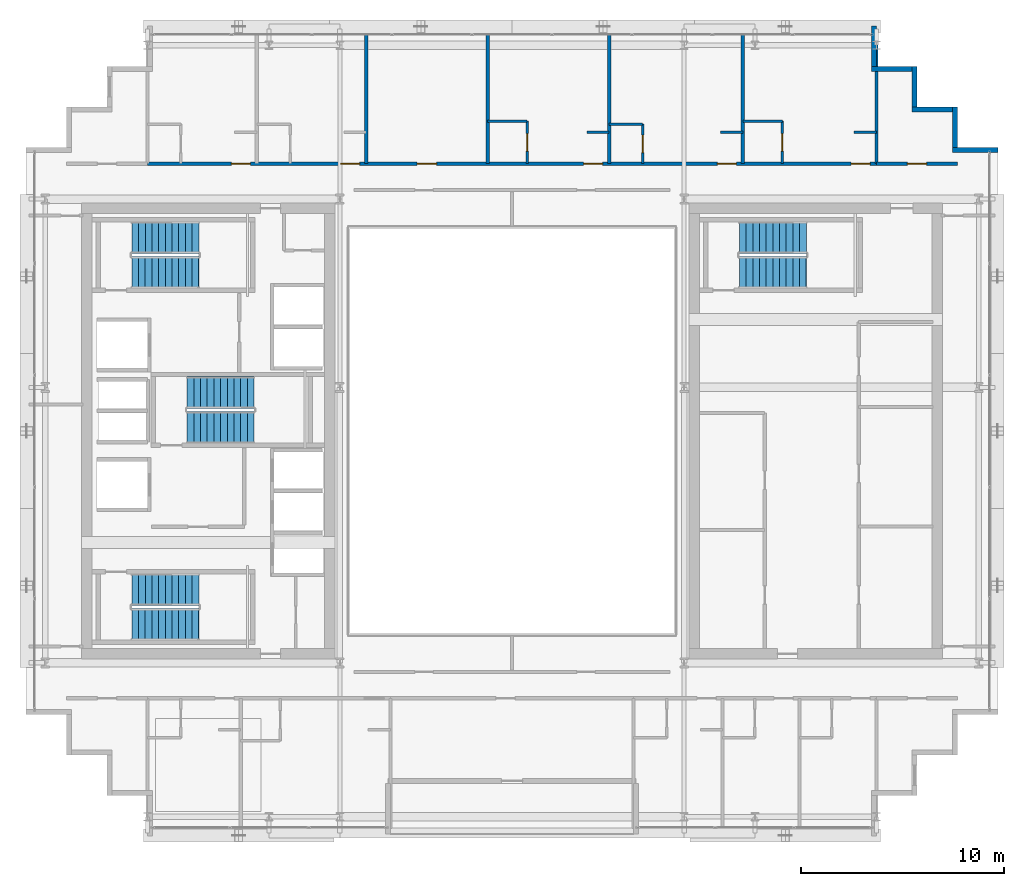
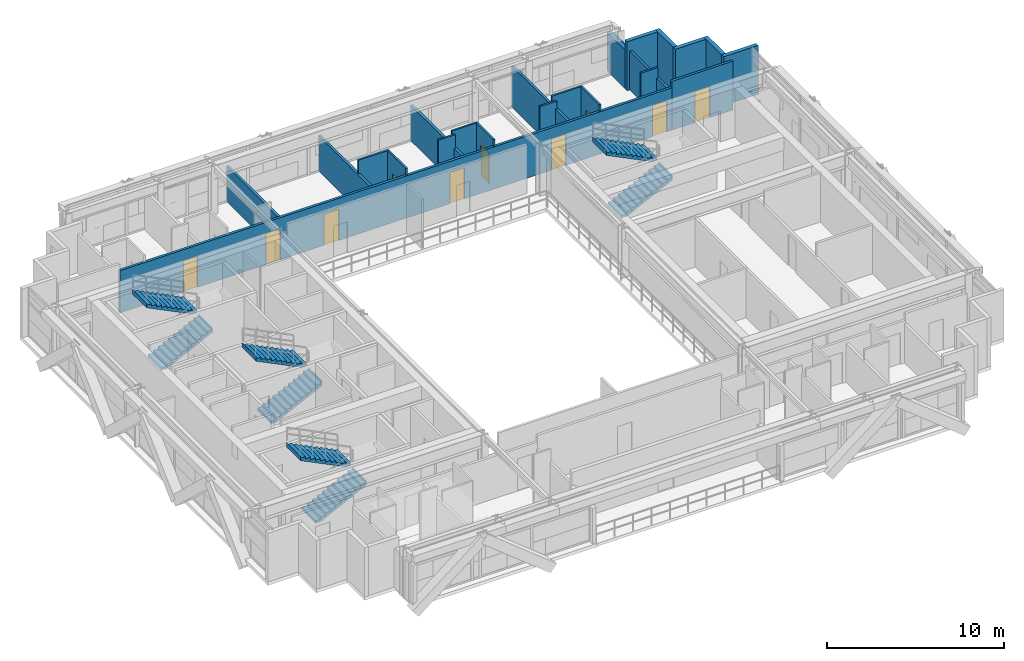
# One storey, part 27 of 31: 22 walls, 10 doors, 8 stair flights, 10 openings, 4 elements without a shape of their own.
"""IFC4 building model written with IfcOpenShell, lengths in metres."""

from ifc_helpers import new_model, si_unit, direction, frame, frame_2d, origin, place, context, subcontext, project, spatial, polyline, rectangle, outline, extrude, source, transform, mapped, material, layer, layer_set, type_object, element, fill, aggregate, save


model = new_model("IFC4")

# Units and contexts
model_context = context("Model", 3, precision=1e-05, world=origin(), true_north=direction((0.0, 1.0)))
body_context = subcontext(model_context, "Body", "Model", "MODEL_VIEW")
ifc_project = project(units=[si_unit("LENGTHUNIT", "METRE"), si_unit("AREAUNIT", "SQUARE_METRE"), si_unit("VOLUMEUNIT", "CUBIC_METRE"), si_unit("PLANEANGLEUNIT", "RADIAN"), si_unit("MASSUNIT", "GRAM", prefix="KILO")], contexts=[model_context])

# Site, building, storey
site_placement = place(None, origin())
site = spatial("IfcSite", under=ifc_project, at=site_placement, CompositionType="ELEMENT")
building_placement = place(site_placement, origin())
building = spatial("IfcBuilding", under=site, at=building_placement, Name="Ocotamira Hotel", CompositionType="ELEMENT")
storey_placement = place(building_placement, frame((0.0, 0.0, 210.0)))
storey = spatial("IfcBuildingStorey", under=building, at=storey_placement, Name="L53", CompositionType="ELEMENT", Elevation=210.0)

# Walls
ifc_material_1 = material(Name="Precast concrete C45/55", Category="concrete")
ifc_layer_1 = layer(ifc_material_1, 0.25)
ifc_layer_set_1 = layer_set([ifc_layer_1], Name="Precast concrete C45/55")
wall_type_1 = type_object("IfcWallType", Name="WL-EXT-SER-250", PredefinedType="SOLIDWALL", material=ifc_layer_set_1)
wall_1_placement = place(storey_placement, frame((56.0, 39.875, 0.0), z_axis=(0.0, 0.0, 1.0), x_axis=(-1.0, 0.0, 0.0)))
element("IfcWall", 1, at=wall_1_placement, inside=storey, type_object=wall_type_1, Name="L53 Serrated Corner Wall 07", PredefinedType="SOLIDWALL", context=body_context, shape_type="SweptSolid", body=[
    extrude(rectangle(XDim=2.25, YDim=0.25, at=frame_2d((1.125, 0.0))), origin(), (0.0, 0.0, 1.0), 3.3701171875),
])
for number, where, z_axis, x_axis, name in (
    (2, (53.875, 40.0, 0.0), (0.0, 0.0, 1.0), (0.0, 1.0, 0.0), "L53 Serrated Corner Wall 08"),
    (3, (53.75, 41.875, 0.0), (0.0, 0.0, 1.0), (-1.0, 0.0, 0.0), "L53 Serrated Corner Wall 09"),
    (4, (51.875, 42.0, 0.0), (0.0, 0.0, 1.0), (0.0, 1.0, 0.0), "L53 Serrated Corner Wall 10"),
    (5, (51.75, 43.875, 0.0), (0.0, 0.0, 1.0), (-1.0, 0.0, 0.0), "L53 Serrated Corner Wall 11"),
):
    element("IfcWall", number, at=place(storey_placement, frame(where, z_axis=z_axis, x_axis=x_axis)), inside=storey, type_object=wall_type_1, Name=name, PredefinedType="SOLIDWALL", context=body_context, shape_type="SweptSolid", body=[
        extrude(rectangle(XDim=2.0, YDim=0.25, at=frame_2d((1.0, 0.0))), origin(), (0.0, 0.0, 1.0), 3.3701171875),
    ])
wall_2_placement = place(storey_placement, frame((49.875, 44.0, 0.0), z_axis=(0.0, 0.0, 1.0), x_axis=(0.0, 1.0, 0.0)))
element("IfcWall", 6, at=wall_2_placement, inside=storey, type_object=wall_type_1, Name="L53 Serrated Corner Wall 12", PredefinedType="SOLIDWALL", context=body_context, shape_type="SweptSolid", body=[
    extrude(rectangle(XDim=2.0, YDim=0.25, at=frame_2d((1.0, 0.0))), origin(), (0.0, 0.0, 1.0), 2.677001953125),
])

# Wall, opening, door
ifc_material_2 = material(Name="Acoustic double-layer fire gypsum board partition", Category="gypsum")
ifc_layer_2 = layer(ifc_material_2, 0.159912109375)
ifc_layer_set_2 = layer_set([ifc_layer_2], Name="Acoustic double-layer fire gypsum board partition")
wall_type_2 = type_object("IfcWallType", Name="WL-FIRE-160", PredefinedType="PARTITIONING", material=ifc_layer_set_2)
wall_3_placement = place(storey_placement, frame((50.0, 39.199951171875, 0.0), z_axis=(0.0, 0.0, 1.0), x_axis=(1.0, 0.0, 0.0)))
wall_3 = element("IfcWall", 7, at=wall_3_placement, inside=storey, type_object=wall_type_2, Name="L53 Interior Wall PW-L53-Z3E-CNE-CW", PredefinedType="PARTITIONING", context=body_context, shape_type="SweptSolid", body=[
    extrude(rectangle(XDim=4.0, YDim=0.159912109375, at=frame_2d((2.0, 0.0))), origin(), (0.0, 0.0, 1.0), 3.3701171875),
])
opening_1_placement = place(wall_3_placement, frame((1.52001953125, 0.0, 0.0)))
opening_1 = element("IfcOpeningElement", 8, at=opening_1_placement, cuts=wall_3, Name="Opening D-SV4", PredefinedType="OPENING", context=body_context, shape_type="SweptSolid", body=[
    extrude(rectangle(XDim=0.9599609375, YDim=2.14990234375, at=frame_2d((0.47998046875, 1.074951171875))), frame((0.0, 0.08984375, 0.0), z_axis=(0.0, -1.0, 0.0), x_axis=(1.0, 0.0, 0.0)), (0.0, 0.0, 1.0), 0.179931640625),
])
ifc_material_3 = material(Name="Fire-rated accessible walnut salon door", Category="wood")
door_type_1 = type_object("IfcDoorType", Name="DR-SERV-960", OperationType="NOTDEFINED", PredefinedType="DOOR", material=ifc_material_3)
shared_shape_1 = source(origin(), body_context, "Body", "SweptSolid", [
    extrude(rectangle(XDim=0.9599609375, YDim=2.14990234375, at=frame_2d((0.47998046875, 1.074951171875))), frame((0.0, 0.02490234375, 0.0), z_axis=(0.0, -1.0, 0.0), x_axis=(1.0, 0.0, 0.0)), (0.0, 0.0, 1.0), 0.050048828125),
])
door_1_placement = place(opening_1_placement, origin())
door_1 = element("IfcDoor", 9, at=door_1_placement, inside=storey, type_object=door_type_1, Name="L53 Door ID-L53-Z3E-CNE-CD [ID-L53-Z3E-CNE-CD]", OperationType="SINGLE_SWING_LEFT", OverallHeight=2.14990234375, OverallWidth=0.9599609375, PredefinedType="DOOR", context=body_context, shape_type="MappedRepresentation", body=[
    mapped(shared_shape_1, transform((0.0, 0.0, 0.0), scale=1.0)),
])
fill(opening_1, door_1)

# Wall, openings, doors
wall_4_placement = place(storey_placement, frame((14.0, 39.199951171875, 0.0), z_axis=(0.0, 0.0, 1.0), x_axis=(1.0, 0.0, 0.0)))
wall_4 = element("IfcWall", 10, at=wall_4_placement, inside=storey, type_object=wall_type_2, Name="L53 Interior Wall PW-L53-Z3EN-CORRW", PredefinedType="PARTITIONING", context=body_context, shape_type="SweptSolid", body=[
    extrude(rectangle(XDim=36.0, YDim=0.159912109375, at=frame_2d((18.0, 0.0))), origin(), (0.0, 0.0, 1.0), 2.9130859375),
])
opening_2_placement = place(wall_4_placement, frame((4.139892578125, 0.0, 0.0)))
opening_2 = element("IfcOpeningElement", 11, at=opening_2_placement, cuts=wall_4, Name="Opening D-GR1", PredefinedType="OPENING", context=body_context, shape_type="SweptSolid", body=[
    extrude(rectangle(XDim=0.93994140625, YDim=2.14990234375, at=frame_2d((0.469970703125, 1.074951171875))), frame((0.0, 0.08984375, 0.0), z_axis=(0.0, -1.0, 0.0), x_axis=(1.0, 0.0, 0.0)), (0.0, 0.0, 1.0), 0.179931640625),
])
opening_3_placement = place(wall_4_placement, frame((9.5400390625, 0.0, 0.0)))
opening_3 = element("IfcOpeningElement", 12, at=opening_3_placement, cuts=wall_4, Name="Opening D-GR1", PredefinedType="OPENING", context=body_context, shape_type="SweptSolid", body=[
    extrude(rectangle(XDim=0.93994140625, YDim=2.14990234375, at=frame_2d((0.469970703125, 1.074951171875))), frame((0.0, 0.08984375, 0.0), z_axis=(0.0, -1.0, 0.0), x_axis=(1.0, 0.0, 0.0)), (0.0, 0.0, 1.0), 0.179931640625),
])
opening_4_placement = place(wall_4_placement, frame((13.320068359375, 0.0, 0.0)))
opening_4 = element("IfcOpeningElement", 13, at=opening_4_placement, cuts=wall_4, Name="Opening D-SV4", PredefinedType="OPENING", context=body_context, shape_type="SweptSolid", body=[
    extrude(rectangle(XDim=0.9599609375, YDim=2.14990234375, at=frame_2d((0.47998046875, 1.074951171875))), frame((0.0, 0.08984375, 0.0), z_axis=(0.0, -1.0, 0.0), x_axis=(1.0, 0.0, 0.0)), (0.0, 0.0, 1.0), 0.179931640625),
])
opening_5_placement = place(wall_4_placement, frame((21.5400390625, 0.0, 0.0)))
opening_5 = element("IfcOpeningElement", 14, at=opening_5_placement, cuts=wall_4, Name="Opening D-GR1", PredefinedType="OPENING", context=body_context, shape_type="SweptSolid", body=[
    extrude(rectangle(XDim=0.93994140625, YDim=2.14990234375, at=frame_2d((0.469970703125, 1.074951171875))), frame((0.0, 0.08984375, 0.0), z_axis=(0.0, -1.0, 0.0), x_axis=(1.0, 0.0, 0.0)), (0.0, 0.0, 1.0), 0.179931640625),
])
opening_6_placement = place(wall_4_placement, frame((28.139892578125, 0.0, 0.0)))
opening_6 = element("IfcOpeningElement", 15, at=opening_6_placement, cuts=wall_4, Name="Opening D-GR1", PredefinedType="OPENING", context=body_context, shape_type="SweptSolid", body=[
    extrude(rectangle(XDim=0.93994140625, YDim=2.14990234375, at=frame_2d((0.469970703125, 1.074951171875))), frame((0.0, 0.08984375, 0.0), z_axis=(0.0, -1.0, 0.0), x_axis=(1.0, 0.0, 0.0)), (0.0, 0.0, 1.0), 0.179931640625),
])
opening_7_placement = place(wall_4_placement, frame((34.739990234375, 0.0, 0.0)))
opening_7 = element("IfcOpeningElement", 16, at=opening_7_placement, cuts=wall_4, Name="Opening D-GR1", PredefinedType="OPENING", context=body_context, shape_type="SweptSolid", body=[
    extrude(rectangle(XDim=0.93994140625, YDim=2.14990234375, at=frame_2d((0.469970703125, 1.074951171875))), frame((0.0, 0.08984375, 0.0), z_axis=(0.0, -1.0, 0.0), x_axis=(1.0, 0.0, 0.0)), (0.0, 0.0, 1.0), 0.179931640625),
])
door_2_placement = place(opening_4_placement, origin())
door_2 = element("IfcDoor", 17, at=door_2_placement, inside=storey, type_object=door_type_1, Name="L53 Door ID-L53-Z3EN-AMD3 [ID-L53-Z3EN-AMD3]", OperationType="SINGLE_SWING_LEFT", OverallHeight=2.14990234375, OverallWidth=0.9599609375, PredefinedType="DOOR", context=body_context, shape_type="MappedRepresentation", body=[
    mapped(shared_shape_1, transform((0.0, 0.0, 0.0), scale=1.0)),
])
fill(opening_4, door_2)
ifc_material_4 = material(Name="Solid-core walnut suite entrance fire door", Category="wood")
door_type_2 = type_object("IfcDoorType", Name="DR-GUEST-940", OperationType="NOTDEFINED", PredefinedType="DOOR", material=ifc_material_4)
shared_shape_2 = source(origin(), body_context, "Body", "SweptSolid", [
    extrude(rectangle(XDim=0.93994140625, YDim=2.14990234375, at=frame_2d((0.469970703125, 1.074951171875))), frame((0.0, 0.02490234375, 0.0), z_axis=(0.0, -1.0, 0.0), x_axis=(1.0, 0.0, 0.0)), (0.0, 0.0, 1.0), 0.050048828125),
])
door_3_placement = place(opening_2_placement, origin())
door_3 = element("IfcDoor", 18, at=door_3_placement, inside=storey, type_object=door_type_2, Name="L53 Door ID-L53-Z3EN-RMD1 [ID-L53-Z3EN-RMD1]", OperationType="SINGLE_SWING_LEFT", OverallHeight=2.14990234375, OverallWidth=0.93994140625, PredefinedType="DOOR", context=body_context, shape_type="MappedRepresentation", body=[
    mapped(shared_shape_2, transform((0.0, 0.0, 0.0), scale=1.0)),
])
fill(opening_2, door_3)
door_4_placement = place(opening_3_placement, origin())
door_4 = element("IfcDoor", 19, at=door_4_placement, inside=storey, type_object=door_type_2, Name="L53 Door ID-L53-Z3EN-RMD2 [ID-L53-Z3EN-RMD2]", OperationType="SINGLE_SWING_RIGHT", OverallHeight=2.14990234375, OverallWidth=0.93994140625, PredefinedType="DOOR", context=body_context, shape_type="MappedRepresentation", body=[
    mapped(shared_shape_2, transform((0.0, 0.0, 0.0), scale=1.0)),
])
fill(opening_3, door_4)
door_5_placement = place(opening_5_placement, origin())
door_5 = element("IfcDoor", 20, at=door_5_placement, inside=storey, type_object=door_type_2, Name="L53 Door ID-L53-Z3EN-RMD4 [ID-L53-Z3EN-RMD4]", OperationType="SINGLE_SWING_RIGHT", OverallHeight=2.14990234375, OverallWidth=0.93994140625, PredefinedType="DOOR", context=body_context, shape_type="MappedRepresentation", body=[
    mapped(shared_shape_2, transform((0.0, 0.0, 0.0), scale=1.0)),
])
fill(opening_5, door_5)
door_6_placement = place(opening_6_placement, origin())
door_6 = element("IfcDoor", 21, at=door_6_placement, inside=storey, type_object=door_type_2, Name="L53 Door ID-L53-Z3EN-RMD5 [ID-L53-Z3EN-RMD5]", OperationType="SINGLE_SWING_LEFT", OverallHeight=2.14990234375, OverallWidth=0.93994140625, PredefinedType="DOOR", context=body_context, shape_type="MappedRepresentation", body=[
    mapped(shared_shape_2, transform((0.0, 0.0, 0.0), scale=1.0)),
])
fill(opening_6, door_6)
door_7_placement = place(opening_7_placement, origin())
door_7 = element("IfcDoor", 22, at=door_7_placement, inside=storey, type_object=door_type_2, Name="L53 Door ID-L53-Z3EN-RMD6 [ID-L53-Z3EN-RMD6]", OperationType="SINGLE_SWING_RIGHT", OverallHeight=2.14990234375, OverallWidth=0.93994140625, PredefinedType="DOOR", context=body_context, shape_type="MappedRepresentation", body=[
    mapped(shared_shape_2, transform((0.0, 0.0, 0.0), scale=1.0)),
])
fill(opening_7, door_7)

# Wall, opening, door
ifc_material_5 = material(Name="Moisture-resistant en-suite tile and gypsum partition", Category="gypsum")
ifc_layer_3 = layer(ifc_material_5, 0.1201171875)
ifc_layer_set_3 = layer_set([ifc_layer_3], Name="Moisture-resistant en-suite tile and gypsum partition")
wall_type_3 = type_object("IfcWallType", Name="WL-PART-120", PredefinedType="PARTITIONING", material=ifc_layer_set_3)
wall_5_placement = place(storey_placement, frame((32.75, 39.199951171875, 0.0), z_axis=(0.0, 0.0, 1.0), x_axis=(0.0, 1.0, 0.0)))
wall_5 = element("IfcWall", 23, at=wall_5_placement, inside=storey, type_object=wall_type_3, Name="L53 Interior Wall PW-L53-Z3EN-BAE4", PredefinedType="PARTITIONING", context=body_context, shape_type="SweptSolid", body=[
    extrude(rectangle(XDim=2.10009765625, YDim=0.1201171875, at=frame_2d((1.050048828125, 0.0))), origin(), (0.0, 0.0, 1.0), 3.3701171875),
])
opening_8_placement = place(wall_5_placement, frame((0.6201171875, 0.0, 0.0)))
opening_8 = element("IfcOpeningElement", 24, at=opening_8_placement, cuts=wall_5, Name="Opening D-BA1", PredefinedType="OPENING", context=body_context, shape_type="SweptSolid", body=[
    extrude(rectangle(XDim=0.860107421875, YDim=2.10009765625, at=frame_2d((0.43017578125, 1.050048828125))), frame((0.0, 0.070068359375, 0.0), z_axis=(0.0, -1.0, 0.0), x_axis=(1.0, 0.0, 0.0)), (0.0, 0.0, 1.0), 0.14013671875),
])
ifc_material_6 = material(Name="Moisture-sealed en-suite timber door", Category="wood")
door_type_3 = type_object("IfcDoorType", Name="DR-BATH-860", OperationType="NOTDEFINED", PredefinedType="DOOR", material=ifc_material_6)
shared_shape_3 = source(origin(), body_context, "Body", "SweptSolid", [
    extrude(rectangle(XDim=0.860107421875, YDim=2.10009765625, at=frame_2d((0.43017578125, 1.050048828125))), frame((0.0, 0.02490234375, 0.0), z_axis=(0.0, -1.0, 0.0), x_axis=(1.0, 0.0, 0.0)), (0.0, 0.0, 1.0), 0.050048828125),
])
door_8_placement = place(opening_8_placement, origin())
door_8 = element("IfcDoor", 25, at=door_8_placement, inside=storey, type_object=door_type_3, Name="L53 Door ID-L53-Z3EN-BAD4 [ID-L53-Z3EN-BAD4]", OperationType="SINGLE_SWING_LEFT", OverallHeight=2.10009765625, OverallWidth=0.860107421875, PredefinedType="DOOR", context=body_context, shape_type="MappedRepresentation", body=[
    mapped(shared_shape_3, transform((0.0, 0.0, 0.0), scale=1.0)),
])
fill(opening_8, door_8)

# Walls
wall_6_placement = place(storey_placement, frame((30.800048828125, 41.300048828125, 0.0), z_axis=(0.0, 0.0, 1.0), x_axis=(1.0, 0.0, 0.0)))
element("IfcWall", 26, at=wall_6_placement, inside=storey, type_object=wall_type_3, Name="L53 Interior Wall PW-L53-Z3EN-BAN4", PredefinedType="PARTITIONING", context=body_context, shape_type="SweptSolid", body=[
    extrude(rectangle(XDim=1.949951171875, YDim=0.1201171875, at=frame_2d((0.97509765625, 0.0))), origin(), (0.0, 0.0, 1.0), 3.3701171875),
])
wall_7_placement = place(storey_placement, frame((35.699951171875, 40.75, 0.0), z_axis=(0.0, 0.0, 1.0), x_axis=(1.0, 0.0, 0.0)))
element("IfcWall", 27, at=wall_7_placement, inside=storey, type_object=wall_type_3, Name="L53 Interior Wall PW-L53-Z3EN-DRN4", PredefinedType="PARTITIONING", context=body_context, shape_type="SweptSolid", body=[
    extrude(rectangle(XDim=1.10009765625, YDim=0.1201171875, at=frame_2d((0.550048828125, 0.0))), origin(), (0.0, 0.0, 1.0), 3.3701171875),
])

# Wall, opening, door
wall_8_placement = place(storey_placement, frame((38.449951171875, 39.199951171875, 0.0), z_axis=(0.0, 0.0, 1.0), x_axis=(0.0, 1.0, 0.0)))
wall_8 = element("IfcWall", 28, at=wall_8_placement, inside=storey, type_object=wall_type_3, Name="L53 Interior Wall PW-L53-Z3EN-BAE5", PredefinedType="PARTITIONING", context=body_context, shape_type="SweptSolid", body=[
    extrude(rectangle(XDim=1.949951171875, YDim=0.1201171875, at=frame_2d((0.97509765625, 0.0))), origin(), (0.0, 0.0, 1.0), 3.3701171875),
])
opening_9_placement = place(wall_8_placement, frame((0.544921875, 0.0, 0.0)))
opening_9 = element("IfcOpeningElement", 29, at=opening_9_placement, cuts=wall_8, Name="Opening D-BA1", PredefinedType="OPENING", context=body_context, shape_type="SweptSolid", body=[
    extrude(rectangle(XDim=0.860107421875, YDim=2.10009765625, at=frame_2d((0.43017578125, 1.050048828125))), frame((0.0, 0.070068359375, 0.0), z_axis=(0.0, -1.0, 0.0), x_axis=(1.0, 0.0, 0.0)), (0.0, 0.0, 1.0), 0.14013671875),
])
door_9_placement = place(opening_9_placement, origin())
door_9 = element("IfcDoor", 30, at=door_9_placement, inside=storey, type_object=door_type_3, Name="L53 Door ID-L53-Z3EN-BAD5 [ID-L53-Z3EN-BAD5]", OperationType="SINGLE_SWING_RIGHT", OverallHeight=2.10009765625, OverallWidth=0.860107421875, PredefinedType="DOOR", context=body_context, shape_type="MappedRepresentation", body=[
    mapped(shared_shape_3, transform((0.0, 0.0, 0.0), scale=1.0)),
])
fill(opening_9, door_9)

# Walls
wall_9_placement = place(storey_placement, frame((36.800048828125, 41.14990234375, 0.0), z_axis=(0.0, 0.0, 1.0), x_axis=(1.0, 0.0, 0.0)))
element("IfcWall", 31, at=wall_9_placement, inside=storey, type_object=wall_type_3, Name="L53 Interior Wall PW-L53-Z3EN-BAN5", PredefinedType="PARTITIONING", context=body_context, shape_type="SweptSolid", body=[
    extrude(rectangle(XDim=1.64990234375, YDim=0.1201171875, at=frame_2d((0.824951171875, 0.0))), origin(), (0.0, 0.0, 1.0), 3.3701171875),
])
wall_10_placement = place(storey_placement, frame((42.300048828125, 40.75, 0.0), z_axis=(0.0, 0.0, 1.0), x_axis=(1.0, 0.0, 0.0)))
element("IfcWall", 32, at=wall_10_placement, inside=storey, type_object=wall_type_3, Name="L53 Interior Wall PW-L53-Z3EN-DRN5", PredefinedType="PARTITIONING", context=body_context, shape_type="SweptSolid", body=[
    extrude(rectangle(XDim=1.099853515625, YDim=0.1201171875, at=frame_2d((0.5498046875, 0.0))), origin(), (0.0, 0.0, 1.0), 3.3701171875),
])

# Wall, opening, door
wall_11_placement = place(storey_placement, frame((45.35009765625, 39.199951171875, 0.0), z_axis=(0.0, 0.0, 1.0), x_axis=(0.0, 1.0, 0.0)))
wall_11 = element("IfcWall", 33, at=wall_11_placement, inside=storey, type_object=wall_type_3, Name="L53 Interior Wall PW-L53-Z3EN-BAE6", PredefinedType="PARTITIONING", context=body_context, shape_type="SweptSolid", body=[
    extrude(rectangle(XDim=2.10009765625, YDim=0.1201171875, at=frame_2d((1.050048828125, 0.0))), origin(), (0.0, 0.0, 1.0), 3.3701171875),
])
opening_10_placement = place(wall_11_placement, frame((0.6201171875, 0.0, 0.0)))
opening_10 = element("IfcOpeningElement", 34, at=opening_10_placement, cuts=wall_11, Name="Opening D-BA1", PredefinedType="OPENING", context=body_context, shape_type="SweptSolid", body=[
    extrude(rectangle(XDim=0.860107421875, YDim=2.10009765625, at=frame_2d((0.43017578125, 1.050048828125))), frame((0.0, 0.070068359375, 0.0), z_axis=(0.0, -1.0, 0.0), x_axis=(1.0, 0.0, 0.0)), (0.0, 0.0, 1.0), 0.14013671875),
])
door_10_placement = place(opening_10_placement, origin())
door_10 = element("IfcDoor", 35, at=door_10_placement, inside=storey, type_object=door_type_3, Name="L53 Door ID-L53-Z3EN-BAD6 [ID-L53-Z3EN-BAD6]", OperationType="SINGLE_SWING_LEFT", OverallHeight=2.10009765625, OverallWidth=0.860107421875, PredefinedType="DOOR", context=body_context, shape_type="MappedRepresentation", body=[
    mapped(shared_shape_3, transform((0.0, 0.0, 0.0), scale=1.0)),
])
fill(opening_10, door_10)

# Walls
wall_12_placement = place(storey_placement, frame((43.39990234375, 41.300048828125, 0.0), z_axis=(0.0, 0.0, 1.0), x_axis=(1.0, 0.0, 0.0)))
element("IfcWall", 36, at=wall_12_placement, inside=storey, type_object=wall_type_3, Name="L53 Interior Wall PW-L53-Z3EN-BAN6", PredefinedType="PARTITIONING", context=body_context, shape_type="SweptSolid", body=[
    extrude(rectangle(XDim=1.9501953125, YDim=0.1201171875, at=frame_2d((0.97509765625, 0.0))), origin(), (0.0, 0.0, 1.0), 3.3701171875),
])
wall_13_placement = place(storey_placement, frame((48.89990234375, 40.75, 0.0), z_axis=(0.0, 0.0, 1.0), x_axis=(1.0, 0.0, 0.0)))
element("IfcWall", 37, at=wall_13_placement, inside=storey, type_object=wall_type_3, Name="L53 Interior Wall PW-L53-Z3EN-DRN6", PredefinedType="PARTITIONING", context=body_context, shape_type="SweptSolid", body=[
    extrude(rectangle(XDim=1.10009765625, YDim=0.1201171875, at=frame_2d((0.550048828125, 0.0))), origin(), (0.0, 0.0, 1.0), 3.3701171875),
])
ifc_material_7 = material(Name="Acoustic double-stud hospitality gypsum partition", Category="gypsum")
ifc_layer_4 = layer(ifc_material_7, 0.159912109375)
ifc_layer_set_4 = layer_set([ifc_layer_4], Name="Acoustic double-stud hospitality gypsum partition")
wall_type_4 = type_object("IfcWallType", Name="WL-PART-160", PredefinedType="PARTITIONING", material=ifc_layer_set_4)
wall_14_placement = place(storey_placement, frame((50.0, 39.199951171875, 0.0), z_axis=(0.0, 0.0, 1.0), x_axis=(0.0, 1.0, 0.0)))
element("IfcWall", 38, at=wall_14_placement, inside=storey, type_object=wall_type_4, Name="L53 Interior Wall PW-L53-Z3EN-PWEND", PredefinedType="PARTITIONING", context=body_context, shape_type="SweptSolid", body=[
    extrude(rectangle(XDim=6.43994140625, YDim=0.159912109375, at=frame_2d((3.219970703125, 0.0))), origin(), (0.0, 0.0, 1.0), 2.677001953125),
])
for number, where, z_axis, x_axis, name in (
    (39, (24.800048828125, 39.199951171875, 0.0), (0.0, 0.0, 1.0), (0.0, 1.0, 0.0), "L53 Interior Wall PW-L53-Z3EN-PW2"),
    (40, (30.800048828125, 39.199951171875, 0.0), (0.0, 0.0, 1.0), (0.0, 1.0, 0.0), "L53 Interior Wall PW-L53-Z3EN-PW3"),
):
    element("IfcWall", number, at=place(storey_placement, frame(where, z_axis=z_axis, x_axis=x_axis)), inside=storey, type_object=wall_type_4, Name=name, PredefinedType="PARTITIONING", context=body_context, shape_type="SweptSolid", body=[
        extrude(rectangle(XDim=6.43994140625, YDim=0.159912109375, at=frame_2d((3.219970703125, 0.0))), origin(), (0.0, 0.0, 1.0), 2.443115234375),
    ])
wall_15_placement = place(storey_placement, frame((43.39990234375, 39.199951171875, 0.0), z_axis=(0.0, 0.0, 1.0), x_axis=(0.0, 1.0, 0.0)))
element("IfcWall", 41, at=wall_15_placement, inside=storey, type_object=wall_type_4, Name="L53 Interior Wall PW-L53-Z3EN-PW5", PredefinedType="PARTITIONING", context=body_context, shape_type="SweptSolid", body=[
    extrude(rectangle(XDim=6.43994140625, YDim=0.159912109375, at=frame_2d((3.219970703125, 0.0))), origin(), (0.0, 0.0, 1.0), 2.8330078125),
])
ifc_material_8 = material(Name="Double-stud suite party gypsum partition", Category="gypsum")
ifc_layer_5 = layer(ifc_material_8, 0.175048828125)
ifc_layer_set_5 = layer_set([ifc_layer_5], Name="Double-stud suite party gypsum partition")
wall_type_5 = type_object("IfcWallType", Name="WL-PART-175", PredefinedType="PARTITIONING", material=ifc_layer_set_5)
wall_16_placement = place(storey_placement, frame((36.800048828125, 39.199951171875, 0.0), z_axis=(0.0, 0.0, 1.0), x_axis=(0.0, 1.0, 0.0)))
element("IfcWall", 42, at=wall_16_placement, inside=storey, type_object=wall_type_5, Name="L53 Interior Wall PW-L53-Z3EN-PW4", PredefinedType="PARTITIONING", context=body_context, shape_type="SweptSolid", body=[
    extrude(rectangle(XDim=6.43994140625, YDim=0.175048828125, at=frame_2d((3.219970703125, 0.0))), origin(), (0.0, 0.0, 1.0), 2.443115234375),
])

# Stair, stair flights
ifc_material_9 = material(Name="Concrete C40/50", Category="concrete")
stair_type = type_object("IfcStairType", Name="ST-CORE-1560", PredefinedType="HALF_TURN_STAIR", material=ifc_material_9)
stair_1_placement = place(storey_placement, origin())
stair_1 = element("IfcStair", 43, at=stair_1_placement, inside=storey, type_object=stair_type, Name="L53 Exit Stair ST-1", PredefinedType="HALF_TURN_STAIR")
stair_flight_type = type_object("IfcStairFlightType", Name="STF-CORE-1560", PredefinedType="STRAIGHT", material=ifc_material_9)
shared_shape_4 = source(origin(), body_context, "Body", "SweptSolid", [
    extrude(outline(polyline([(-0.00390625, 0.0), (-0.00390625, 0.16357421875), (0.330078125, 0.16357421875), (0.330078125, 0.327392578125), (0.659912109375, 0.327392578125), (0.659912109375, 0.490966796875), (0.989990234375, 0.490966796875), (0.989990234375, 0.654541015625), (1.320068359375, 0.654541015625), (1.320068359375, 0.818115234375), (1.64990234375, 0.818115234375), (1.64990234375, 0.98193359375), (1.97998046875, 0.98193359375), (1.97998046875, 1.1455078125), (2.31005859375, 1.1455078125), (2.31005859375, 1.30908203125), (2.639892578125, 1.30908203125), (2.639892578125, 1.47265625), (2.969970703125, 1.47265625), (2.969970703125, 1.636474609375), (3.300048828125, 1.636474609375), (3.300048828125, 1.800048828125), (3.303955078125, 1.800048828125), (3.303955078125, 1.468994140625), (0.33740234375, 0.0), (-0.00390625, 0.0)])), frame((0.0, 0.780029296875, 0.0), z_axis=(0.0, -1.0, 0.0), x_axis=(1.0, 0.0, 0.0)), (0.0, 0.0, 1.0), 1.56005859375),
])
stair_flight_1_placement = place(storey_placement, frame((13.22998046875, 16.449951171875, 0.0), z_axis=(0.0, 0.0, 1.0), x_axis=(1.0, 0.0, 0.0)))
stair_flight_1 = element("IfcStairFlight", 44, at=stair_flight_1_placement, type_object=stair_flight_type, Name="ST-1 flight 1", NumberOfRisers=11, NumberOfTreads=10, PredefinedType="STRAIGHT", RiserHeight=0.163636364, TreadLength=0.33, context=body_context, shape_type="MappedRepresentation", body=[
    mapped(shared_shape_4, transform((0.0, 0.0, 0.0), scale=1.0)),
])
stair_flight_2_placement = place(storey_placement, frame((16.530029296875, 18.169921875, 1.800048828125), z_axis=(0.0, 0.0, 1.0), x_axis=(-1.0, 0.0, 0.0)))
stair_flight_2 = element("IfcStairFlight", 45, at=stair_flight_2_placement, type_object=stair_flight_type, Name="ST-1 flight 2", NumberOfRisers=11, NumberOfTreads=10, PredefinedType="STRAIGHT", RiserHeight=0.163636364, TreadLength=0.33, context=body_context, shape_type="MappedRepresentation", body=[
    mapped(shared_shape_4, transform((0.0, 0.0, 0.0), scale=1.0)),
])
aggregate(stair_1, [stair_flight_1, stair_flight_2])

stair_2_placement = place(storey_placement, origin())
stair_2 = element("IfcStair", 46, at=stair_2_placement, inside=storey, type_object=stair_type, Name="L53 Exit Stair ST-2", PredefinedType="HALF_TURN_STAIR")
stair_flight_3_placement = place(storey_placement, frame((13.22998046875, 33.830078125, 0.0), z_axis=(0.0, 0.0, 1.0), x_axis=(1.0, 0.0, 0.0)))
stair_flight_3 = element("IfcStairFlight", 47, at=stair_flight_3_placement, type_object=stair_flight_type, Name="ST-2 flight 1", NumberOfRisers=11, NumberOfTreads=10, PredefinedType="STRAIGHT", RiserHeight=0.163636364, TreadLength=0.33, context=body_context, shape_type="MappedRepresentation", body=[
    mapped(shared_shape_4, transform((0.0, 0.0, 0.0), scale=1.0)),
])
stair_flight_4_placement = place(storey_placement, frame((16.530029296875, 35.550048828125, 1.800048828125), z_axis=(0.0, 0.0, 1.0), x_axis=(-1.0, 0.0, 0.0)))
stair_flight_4 = element("IfcStairFlight", 48, at=stair_flight_4_placement, type_object=stair_flight_type, Name="ST-2 flight 2", NumberOfRisers=11, NumberOfTreads=10, PredefinedType="STRAIGHT", RiserHeight=0.163636364, TreadLength=0.33, context=body_context, shape_type="MappedRepresentation", body=[
    mapped(shared_shape_4, transform((0.0, 0.0, 0.0), scale=1.0)),
])
aggregate(stair_2, [stair_flight_3, stair_flight_4])

stair_3_placement = place(storey_placement, origin())
stair_3 = element("IfcStair", 49, at=stair_3_placement, inside=storey, type_object=stair_type, Name="L53 Exit Stair ST-3", PredefinedType="HALF_TURN_STAIR")
stair_flight_5_placement = place(storey_placement, frame((15.9599609375, 26.179931640625, 0.0), z_axis=(0.0, 0.0, 1.0), x_axis=(1.0, 0.0, 0.0)))
stair_flight_5 = element("IfcStairFlight", 50, at=stair_flight_5_placement, type_object=stair_flight_type, Name="ST-3 flight 1", NumberOfRisers=11, NumberOfTreads=10, PredefinedType="STRAIGHT", RiserHeight=0.163636364, TreadLength=0.33, context=body_context, shape_type="MappedRepresentation", body=[
    mapped(shared_shape_4, transform((0.0, 0.0, 0.0), scale=1.0)),
])
stair_flight_6_placement = place(storey_placement, frame((19.260009765625, 27.89990234375, 1.800048828125), z_axis=(0.0, 0.0, 1.0), x_axis=(-1.0, 0.0, 0.0)))
stair_flight_6 = element("IfcStairFlight", 51, at=stair_flight_6_placement, type_object=stair_flight_type, Name="ST-3 flight 2", NumberOfRisers=11, NumberOfTreads=10, PredefinedType="STRAIGHT", RiserHeight=0.163636364, TreadLength=0.33, context=body_context, shape_type="MappedRepresentation", body=[
    mapped(shared_shape_4, transform((0.0, 0.0, 0.0), scale=1.0)),
])
aggregate(stair_3, [stair_flight_5, stair_flight_6])

stair_4_placement = place(storey_placement, origin())
stair_4 = element("IfcStair", 52, at=stair_4_placement, inside=storey, type_object=stair_type, Name="L53 Exit Stair ST-4", PredefinedType="HALF_TURN_STAIR")
stair_flight_7_placement = place(storey_placement, frame((43.22998046875, 33.830078125, 0.0), z_axis=(0.0, 0.0, 1.0), x_axis=(1.0, 0.0, 0.0)))
stair_flight_7 = element("IfcStairFlight", 53, at=stair_flight_7_placement, type_object=stair_flight_type, Name="ST-4 flight 1", NumberOfRisers=11, NumberOfTreads=10, PredefinedType="STRAIGHT", RiserHeight=0.163636364, TreadLength=0.33, context=body_context, shape_type="MappedRepresentation", body=[
    mapped(shared_shape_4, transform((0.0, 0.0, 0.0), scale=1.0)),
])
stair_flight_8_placement = place(storey_placement, frame((46.530029296875, 35.550048828125, 1.800048828125), z_axis=(0.0, 0.0, 1.0), x_axis=(-1.0, 0.0, 0.0)))
stair_flight_8 = element("IfcStairFlight", 54, at=stair_flight_8_placement, type_object=stair_flight_type, Name="ST-4 flight 2", NumberOfRisers=11, NumberOfTreads=10, PredefinedType="STRAIGHT", RiserHeight=0.163636364, TreadLength=0.33, context=body_context, shape_type="MappedRepresentation", body=[
    mapped(shared_shape_4, transform((0.0, 0.0, 0.0), scale=1.0)),
])
aggregate(stair_4, [stair_flight_7, stair_flight_8])

save(model, "model.ifc")
